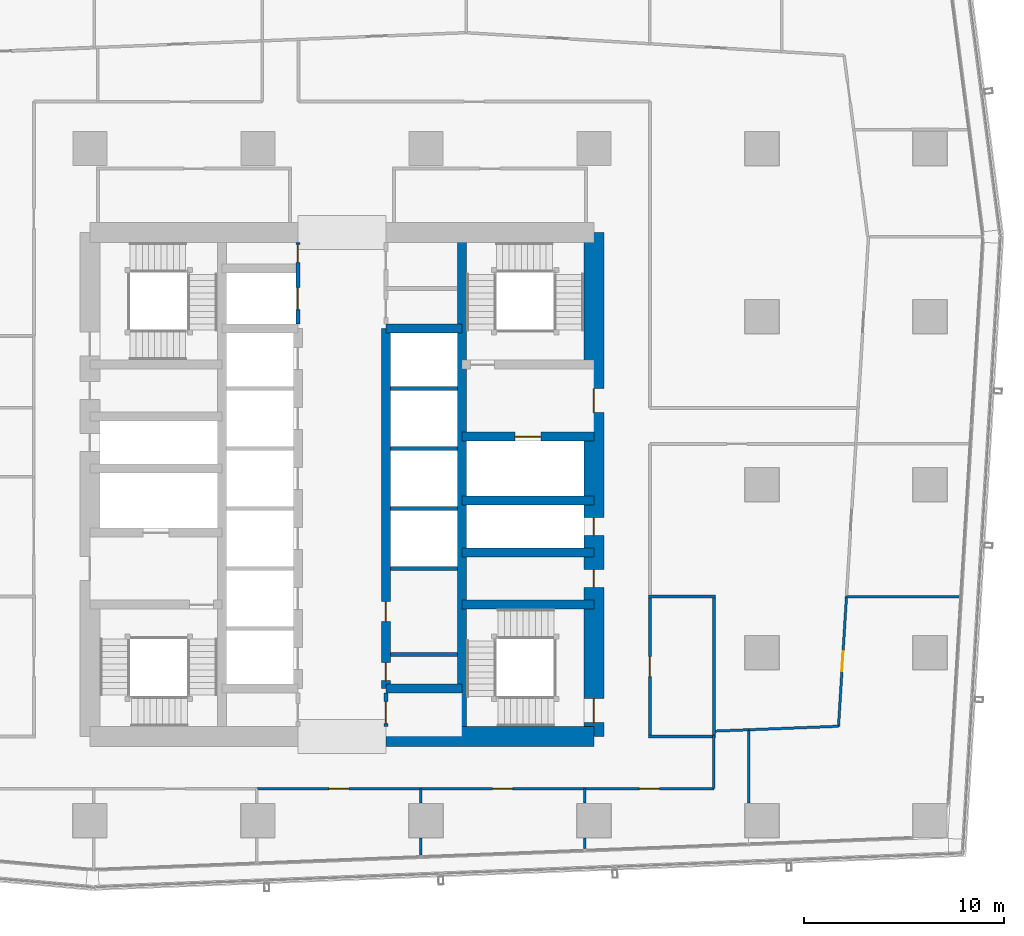
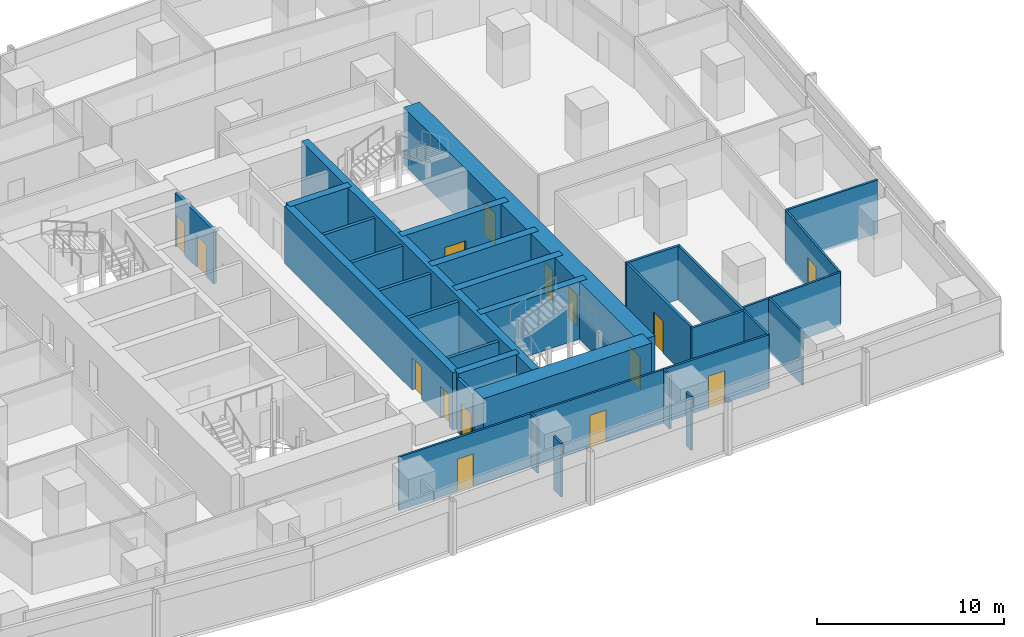
# One storey, part 30 of 40: 34 walls, 15 doors, 15 openings.
"""IFC4 building model written with IfcOpenShell, lengths in metres."""

from ifc_helpers import new_model, si_unit, direction, frame, frame_2d, origin, place, context, subcontext, project, spatial, rectangle, extrude, material, layer, layer_set, type_object, element, fill, save


model = new_model("IFC4")

# Units and contexts
model_context = context("Model", 3, precision=1e-05, world=origin(), true_north=direction((0.0, 1.0)))
body_context = subcontext(model_context, "Body", "Model", "MODEL_VIEW")
ifc_project = project(units=[si_unit("LENGTHUNIT", "METRE"), si_unit("AREAUNIT", "SQUARE_METRE"), si_unit("VOLUMEUNIT", "CUBIC_METRE"), si_unit("PLANEANGLEUNIT", "RADIAN"), si_unit("MASSUNIT", "GRAM", prefix="KILO")], contexts=[model_context])

# Site, building, storey
site_placement = place(None, origin())
site = spatial("IfcSite", under=ifc_project, at=site_placement, CompositionType="ELEMENT")
building_placement = place(site_placement, origin())
building = spatial("IfcBuilding", under=site, at=building_placement, Name="Rekha Terrace Tower", CompositionType="ELEMENT")
storey_placement = place(building_placement, frame((0.0, 0.0, 140.300048828125)))
storey = spatial("IfcBuildingStorey", under=building, at=storey_placement, Name="L35", CompositionType="ELEMENT", Elevation=140.300048828125)

# Wall
ifc_material_1 = material(Name="Concrete M70", Category="concrete")
ifc_layer_1 = layer(ifc_material_1, 0.449951171875)
ifc_layer_set_1 = layer_set([ifc_layer_1], Name="Concrete M70")
wall_type_1 = type_object("IfcWallType", Name="CI2 450 core internal shear wall", PredefinedType="SHEAR", material=ifc_layer_set_1)
wall_1_placement = place(storey_placement, frame((43.800048828125, 21.0, 0.0), z_axis=(0.0, 0.0, 1.0), x_axis=(0.0, 1.0, 0.0)))
element("IfcWall", 1, at=wall_1_placement, inside=storey, type_object=wall_type_1, Name="Core wall X438 L35", PredefinedType="SHEAR", context=body_context, shape_type="SweptSolid", body=[
    extrude(rectangle(XDim=25.199951171875, YDim=0.449951171875, at=frame_2d((12.60009765625, 0.0))), origin(), (0.0, 0.0, 1.0), 3.75),
])

# Wall, openings, doors
wall_2_placement = place(storey_placement, frame((40.0, 23.39990234375, 0.0), z_axis=(0.0, 0.0, 1.0), x_axis=(0.0, 1.0, 0.0)))
wall_2 = element("IfcWall", 2, at=wall_2_placement, inside=storey, type_object=wall_type_1, Name="Core wall X400 L35", PredefinedType="SHEAR", context=body_context, shape_type="SweptSolid", body=[
    extrude(rectangle(XDim=18.0, YDim=0.449951171875, at=frame_2d((9.0, 0.0))), origin(), (0.0, 0.0, 1.0), 3.75),
])
opening_1_placement = place(wall_2_placement, frame((0.39990234375, 0.0, 0.0)))
opening_1 = element("IfcOpeningElement", 3, at=opening_1_placement, cuts=wall_2, Name="Opening D5", PredefinedType="OPENING", context=body_context, shape_type="SweptSolid", body=[
    extrude(rectangle(XDim=0.89990234375, YDim=2.10009765625, at=frame_2d((0.449951171875, 1.050048828125))), frame((0.0, 0.23486328125, 0.0), z_axis=(0.0, -1.0, 0.0), x_axis=(1.0, 0.0, 0.0)), (0.0, 0.0, 1.0), 0.469970703125),
])
opening_2_placement = place(wall_2_placement, frame((3.35009765625, 0.0, 0.0)))
opening_2 = element("IfcOpeningElement", 4, at=opening_2_placement, cuts=wall_2, Name="Opening D3", PredefinedType="OPENING", context=body_context, shape_type="SweptSolid", body=[
    extrude(rectangle(XDim=1.0, YDim=2.10009765625, at=frame_2d((0.5, 1.050048828125))), frame((0.0, 0.23486328125, 0.0), z_axis=(0.0, -1.0, 0.0), x_axis=(1.0, 0.0, 0.0)), (0.0, 0.0, 1.0), 0.469970703125),
])
ifc_material_2 = material(Name="Laminated timber fire door", Category="wood")
door_type_1 = type_object("IfcDoorType", Name="D3 1000x2100 WC door", OperationType="SINGLE_SWING_LEFT", PredefinedType="DOOR", material=ifc_material_2)
door_1_placement = place(opening_2_placement, origin())
door_1 = element("IfcDoor", 5, at=door_1_placement, inside=storey, type_object=door_type_1, Name="Door staff wc L35", OperationType="SINGLE_SWING_LEFT", OverallHeight=2.10009765625, OverallWidth=1.0, PredefinedType="DOOR", context=body_context, shape_type="SweptSolid", body=[
    extrude(rectangle(XDim=1.0, YDim=2.10009765625, at=frame_2d((0.5, 1.050048828125))), frame((0.0, 0.02490234375, 0.0), z_axis=(0.0, -1.0, 0.0), x_axis=(1.0, 0.0, 0.0)), (0.0, 0.0, 1.0), 0.050048828125),
])
fill(opening_2, door_1)
ifc_material_3 = material(Name="Steel fire door", Category="steel")
door_type_2 = type_object("IfcDoorType", Name="D5 900x2100 riser access door", OperationType="SINGLE_SWING_LEFT", PredefinedType="DOOR", material=ifc_material_3)
door_2_placement = place(opening_1_placement, origin())
door_2 = element("IfcDoor", 6, at=door_2_placement, inside=storey, type_object=door_type_2, Name="Door records store L35", OperationType="SINGLE_SWING_LEFT", OverallHeight=2.10009765625, OverallWidth=0.89990234375, PredefinedType="DOOR", context=body_context, shape_type="SweptSolid", body=[
    extrude(rectangle(XDim=0.89990234375, YDim=2.10009765625, at=frame_2d((0.449951171875, 1.050048828125))), frame((0.0, 0.02490234375, 0.0), z_axis=(0.0, -1.0, 0.0), x_axis=(1.0, 0.0, 0.0)), (0.0, 0.0, 1.0), 0.050048828125),
])
fill(opening_1, door_2)

# Walls
for number, where, z_axis, x_axis, name in (
    (7, (40.0, 23.39990234375, 0.0), (0.0, 0.0, 1.0), (1.0, 0.0, 0.0), "Core wall Y234E L35"),
    (8, (40.0, 41.39990234375, 0.0), (0.0, 0.0, 1.0), (1.0, 0.0, 0.0), "Core wall Y414E L35"),
):
    element("IfcWall", number, at=place(storey_placement, frame(where, z_axis=z_axis, x_axis=x_axis)), inside=storey, type_object=wall_type_1, Name=name, PredefinedType="SHEAR", context=body_context, shape_type="SweptSolid", body=[
        extrude(rectangle(XDim=3.800048828125, YDim=0.449951171875, at=frame_2d((1.89990234375, 0.0))), origin(), (0.0, 0.0, 1.0), 3.75),
    ])
for number, where, z_axis, x_axis, name in (
    (9, (43.800048828125, 27.60009765625, 0.0), (0.0, 0.0, 1.0), (1.0, 0.0, 0.0), "Core wall Y276E L35"),
    (10, (43.800048828125, 30.199951171875, 0.0), (0.0, 0.0, 1.0), (1.0, 0.0, 0.0), "Core wall Y302E L35"),
    (11, (43.800048828125, 32.800048828125, 0.0), (0.0, 0.0, 1.0), (1.0, 0.0, 0.0), "Core wall Y328E L35"),
):
    element("IfcWall", number, at=place(storey_placement, frame(where, z_axis=z_axis, x_axis=x_axis)), inside=storey, type_object=wall_type_1, Name=name, PredefinedType="SHEAR", context=body_context, shape_type="SweptSolid", body=[
        extrude(rectangle(XDim=6.599853515625, YDim=0.449951171875, at=frame_2d((3.2998046875, 0.0))), origin(), (0.0, 0.0, 1.0), 3.75),
    ])

# Wall, opening, door
wall_3_placement = place(storey_placement, frame((43.800048828125, 36.0, 0.0), z_axis=(0.0, 0.0, 1.0), x_axis=(1.0, 0.0, 0.0)))
wall_3 = element("IfcWall", 12, at=wall_3_placement, inside=storey, type_object=wall_type_1, Name="Core wall Y360E L35", PredefinedType="SHEAR", context=body_context, shape_type="SweptSolid", body=[
    extrude(rectangle(XDim=6.599853515625, YDim=0.449951171875, at=frame_2d((3.2998046875, 0.0))), origin(), (0.0, 0.0, 1.0), 3.75),
])
opening_3_placement = place(wall_3_placement, frame((2.64990234375, 0.0, 0.0)))
opening_3 = element("IfcOpeningElement", 13, at=opening_3_placement, cuts=wall_3, Name="Opening LD2", PredefinedType="OPENING", context=body_context, shape_type="SweptSolid", body=[
    extrude(rectangle(XDim=1.300048828125, YDim=2.10009765625, at=frame_2d((0.64990234375, 1.050048828125))), frame((0.0, 0.23486328125, 0.0), z_axis=(0.0, -1.0, 0.0), x_axis=(1.0, 0.0, 0.0)), (0.0, 0.0, 1.0), 0.469970703125),
])
ifc_material_4 = material(Name="Stainless steel sliding landing door", Category="steel")
door_type_3 = type_object("IfcDoorType", Name="LD2 1300x2100 fire lift landing door", OperationType="SLIDING_TO_LEFT", PredefinedType="USERDEFINED", material=ifc_material_4)
door_3_placement = place(opening_3_placement, origin())
door_3 = element("IfcDoor", 14, at=door_3_placement, inside=storey, type_object=door_type_3, Name="Lift FL2 landing door L35", ObjectType="LIFT LANDING DOOR", OperationType="SLIDING_TO_LEFT", OverallHeight=2.10009765625, OverallWidth=1.300048828125, PredefinedType="USERDEFINED", context=body_context, shape_type="SweptSolid", body=[
    extrude(rectangle(XDim=1.300048828125, YDim=2.10009765625, at=frame_2d((0.64990234375, 1.050048828125))), frame((0.0, 0.02490234375, 0.0), z_axis=(0.0, -1.0, 0.0), x_axis=(1.0, 0.0, 0.0)), (0.0, 0.0, 1.0), 0.050048828125),
])
fill(opening_3, door_3)

# Wall
ifc_layer_2 = layer(ifc_material_1, 1.0)
ifc_layer_set_2 = layer_set([ifc_layer_2], Name="Concrete M70")
wall_type_2 = type_object("IfcWallType", Name="SW2 1000 core outer shear wall", PredefinedType="SHEAR", material=ifc_layer_set_2)
wall_4_placement = place(storey_placement, frame((40.0, 21.0, 0.0), z_axis=(0.0, 0.0, 1.0), x_axis=(1.0, 0.0, 0.0)))
element("IfcWall", 15, at=wall_4_placement, inside=storey, type_object=wall_type_2, Name="Core wall S2 L35", PredefinedType="SHEAR", context=body_context, shape_type="SweptSolid", body=[
    extrude(rectangle(XDim=10.39990234375, YDim=1.0, at=frame_2d((5.199951171875, 0.0))), origin(), (0.0, 0.0, 1.0), 3.75),
])

# Wall, openings, doors
wall_5_placement = place(storey_placement, frame((50.39990234375, 21.0, 0.0), z_axis=(0.0, 0.0, 1.0), x_axis=(0.0, 1.0, 0.0)))
wall_5 = element("IfcWall", 16, at=wall_5_placement, inside=storey, type_object=wall_type_2, Name="Core wall E L35", PredefinedType="SHEAR", context=body_context, shape_type="SweptSolid", body=[
    extrude(rectangle(XDim=25.199951171875, YDim=1.0, at=frame_2d((12.60009765625, 0.0))), origin(), (0.0, 0.0, 1.0), 3.75),
])
opening_4_placement = place(wall_5_placement, frame((16.199951171875, 0.0, 0.0)))
opening_4 = element("IfcOpeningElement", 17, at=opening_4_placement, cuts=wall_5, Name="Opening D2", PredefinedType="OPENING", context=body_context, shape_type="SweptSolid", body=[
    extrude(rectangle(XDim=1.199951171875, YDim=2.10009765625, at=frame_2d((0.60009765625, 1.050048828125))), frame((0.0, 0.510009765625, 0.0), z_axis=(0.0, -1.0, 0.0), x_axis=(1.0, 0.0, 0.0)), (0.0, 0.0, 1.0), 1.02001953125),
])
opening_5_placement = place(wall_5_placement, frame((10.050048828125, 0.0, 0.0)))
opening_5 = element("IfcOpeningElement", 18, at=opening_5_placement, cuts=wall_5, Name="Opening D5", PredefinedType="OPENING", context=body_context, shape_type="SweptSolid", body=[
    extrude(rectangle(XDim=0.89990234375, YDim=2.10009765625, at=frame_2d((0.449951171875, 1.050048828125))), frame((0.0, 0.510009765625, 0.0), z_axis=(0.0, -1.0, 0.0), x_axis=(1.0, 0.0, 0.0)), (0.0, 0.0, 1.0), 1.02001953125),
])
opening_6_placement = place(wall_5_placement, frame((7.449951171875, 0.0, 0.0)))
opening_6 = element("IfcOpeningElement", 19, at=opening_6_placement, cuts=wall_5, Name="Opening D5", PredefinedType="OPENING", context=body_context, shape_type="SweptSolid", body=[
    extrude(rectangle(XDim=0.89990234375, YDim=2.10009765625, at=frame_2d((0.449951171875, 1.050048828125))), frame((0.0, 0.510009765625, 0.0), z_axis=(0.0, -1.0, 0.0), x_axis=(1.0, 0.0, 0.0)), (0.0, 0.0, 1.0), 1.02001953125),
])
opening_7_placement = place(wall_5_placement, frame((0.699951171875, 0.0, 0.0)))
opening_7 = element("IfcOpeningElement", 20, at=opening_7_placement, cuts=wall_5, Name="Opening D1", PredefinedType="OPENING", context=body_context, shape_type="SweptSolid", body=[
    extrude(rectangle(XDim=1.199951171875, YDim=2.10009765625, at=frame_2d((0.60009765625, 1.050048828125))), frame((0.0, 0.510009765625, 0.0), z_axis=(0.0, -1.0, 0.0), x_axis=(1.0, 0.0, 0.0)), (0.0, 0.0, 1.0), 1.02001953125),
])
door_type_4 = type_object("IfcDoorType", Name="D1 1200x2100 stair fire door", OperationType="SINGLE_SWING_RIGHT", PredefinedType="DOOR", material=ifc_material_3)
door_4_placement = place(opening_7_placement, origin())
door_4 = element("IfcDoor", 21, at=door_4_placement, inside=storey, type_object=door_type_4, Name="Stair ST3 door L35", OperationType="SINGLE_SWING_RIGHT", OverallHeight=2.10009765625, OverallWidth=1.199951171875, PredefinedType="DOOR", context=body_context, shape_type="SweptSolid", body=[
    extrude(rectangle(XDim=1.199951171875, YDim=2.10009765625, at=frame_2d((0.60009765625, 1.050048828125))), frame((0.0, 0.02490234375, 0.0), z_axis=(0.0, -1.0, 0.0), x_axis=(1.0, 0.0, 0.0)), (0.0, 0.0, 1.0), 0.050048828125),
])
fill(opening_7, door_4)
door_type_5 = type_object("IfcDoorType", Name="D2 1200x2100 firefighting lobby door", OperationType="SINGLE_SWING_LEFT", PredefinedType="DOOR", material=ifc_material_3)
door_5_placement = place(opening_4_placement, origin())
door_5 = element("IfcDoor", 22, at=door_5_placement, inside=storey, type_object=door_type_5, Name="Door flb2 L35", OperationType="SINGLE_SWING_LEFT", OverallHeight=2.10009765625, OverallWidth=1.199951171875, PredefinedType="DOOR", context=body_context, shape_type="SweptSolid", body=[
    extrude(rectangle(XDim=1.199951171875, YDim=2.10009765625, at=frame_2d((0.60009765625, 1.050048828125))), frame((0.0, 0.02490234375, 0.0), z_axis=(0.0, -1.0, 0.0), x_axis=(1.0, 0.0, 0.0)), (0.0, 0.0, 1.0), 0.050048828125),
])
fill(opening_4, door_5)
door_6_placement = place(opening_5_placement, origin())
door_6 = element("IfcDoor", 23, at=door_6_placement, inside=storey, type_object=door_type_2, Name="Door rs2 L35", OperationType="SINGLE_SWING_LEFT", OverallHeight=2.10009765625, OverallWidth=0.89990234375, PredefinedType="DOOR", context=body_context, shape_type="SweptSolid", body=[
    extrude(rectangle(XDim=0.89990234375, YDim=2.10009765625, at=frame_2d((0.449951171875, 1.050048828125))), frame((0.0, 0.02490234375, 0.0), z_axis=(0.0, -1.0, 0.0), x_axis=(1.0, 0.0, 0.0)), (0.0, 0.0, 1.0), 0.050048828125),
])
fill(opening_5, door_6)
door_7_placement = place(opening_6_placement, origin())
door_7 = element("IfcDoor", 24, at=door_7_placement, inside=storey, type_object=door_type_2, Name="Door ele L35", OperationType="SINGLE_SWING_LEFT", OverallHeight=2.10009765625, OverallWidth=0.89990234375, PredefinedType="DOOR", context=body_context, shape_type="SweptSolid", body=[
    extrude(rectangle(XDim=0.89990234375, YDim=2.10009765625, at=frame_2d((0.449951171875, 1.050048828125))), frame((0.0, 0.02490234375, 0.0), z_axis=(0.0, -1.0, 0.0), x_axis=(1.0, 0.0, 0.0)), (0.0, 0.0, 1.0), 0.050048828125),
])
fill(opening_6, door_7)

# Walls
ifc_material_5 = material(Name="Concrete block masonry, 1 hour", Category="masonry")
ifc_layer_3 = layer(ifc_material_5, 0.14990234375)
ifc_layer_set_3 = layer_set([ifc_layer_3], Name="Concrete block masonry, 1 hour")
wall_type_3 = type_object("IfcWallType", Name="WP2 150 tenancy partition", PredefinedType="PARTITIONING", material=ifc_layer_set_3)
for number, where, z_axis, x_axis, name in (
    (25, (53.125, 21.0, 0.0), (0.0, 0.0, 1.0), (1.0, 0.0, 0.0), "Men's WC wall L35"),
    (26, (53.125, 28.0, 0.0), (0.0, 0.0, 1.0), (1.0, 0.0, 0.0), "Men's WC wall L35"),
):
    element("IfcWall", number, at=place(storey_placement, frame(where, z_axis=z_axis, x_axis=x_axis)), inside=storey, type_object=wall_type_3, Name=name, PredefinedType="PARTITIONING", context=body_context, shape_type="SweptSolid", body=[
        extrude(rectangle(XDim=3.35009765625, YDim=0.14990234375, at=frame_2d((1.675048828125, 0.0))), origin(), (0.0, 0.0, 1.0), 3.5),
    ])

# Wall, opening, door
wall_6_placement = place(storey_placement, frame((53.199951171875, 21.074951171875, 0.0), z_axis=(0.0, 0.0, 1.0), x_axis=(0.0, 1.0, 0.0)))
wall_6 = element("IfcWall", 27, at=wall_6_placement, inside=storey, type_object=wall_type_3, Name="Men's WC wall L35", PredefinedType="PARTITIONING", context=body_context, shape_type="SweptSolid", body=[
    extrude(rectangle(XDim=6.85009765625, YDim=0.14990234375, at=frame_2d((3.425048828125, 0.0))), origin(), (0.0, 0.0, 1.0), 3.5),
])
opening_8_placement = place(wall_6_placement, frame((2.925048828125, 0.0, 0.0)))
opening_8 = element("IfcOpeningElement", 28, at=opening_8_placement, cuts=wall_6, Name="Opening D3", PredefinedType="OPENING", context=body_context, shape_type="SweptSolid", body=[
    extrude(rectangle(XDim=1.0, YDim=2.10009765625, at=frame_2d((0.5, 1.050048828125))), frame((0.0, 0.0849609375, 0.0), z_axis=(0.0, -1.0, 0.0), x_axis=(1.0, 0.0, 0.0)), (0.0, 0.0, 1.0), 0.169921875),
])
door_8_placement = place(opening_8_placement, origin())
door_8 = element("IfcDoor", 29, at=door_8_placement, inside=storey, type_object=door_type_1, Name="Door men's wc L35", OperationType="SINGLE_SWING_LEFT", OverallHeight=2.10009765625, OverallWidth=1.0, PredefinedType="DOOR", context=body_context, shape_type="SweptSolid", body=[
    extrude(rectangle(XDim=1.0, YDim=2.10009765625, at=frame_2d((0.5, 1.050048828125))), frame((0.0, 0.02490234375, 0.0), z_axis=(0.0, -1.0, 0.0), x_axis=(1.0, 0.0, 0.0)), (0.0, 0.0, 1.0), 0.050048828125),
])
fill(opening_8, door_8)

# Walls
wall_7_placement = place(storey_placement, frame((56.39990234375, 21.074951171875, 0.0), z_axis=(0.0, 0.0, 1.0), x_axis=(0.0, 1.0, 0.0)))
element("IfcWall", 30, at=wall_7_placement, inside=storey, type_object=wall_type_3, Name="Men's WC wall L35", PredefinedType="PARTITIONING", context=body_context, shape_type="SweptSolid", body=[
    extrude(rectangle(XDim=6.85009765625, YDim=0.14990234375, at=frame_2d((3.425048828125, 0.0))), origin(), (0.0, 0.0, 1.0), 3.5),
])
ifc_material_6 = material(Name="Two layers of fire-rated gypsum board each side on steel studs, acoustic quilt, 1 hour", Category="steel")
ifc_layer_4 = layer(ifc_material_6, 0.125)
ifc_layer_set_4 = layer_set([ifc_layer_4], Name="Two layers of fire-rated gypsum board each side on steel studs, acoustic quilt, 1 hour")
wall_type_4 = type_object("IfcWallType", Name="WP3 125 office partition", PredefinedType="PARTITIONING", material=ifc_layer_set_4)
wall_8_placement = place(storey_placement, frame((41.740966796875, 15.080078125, 0.0), z_axis=(0.0, 0.0, 1.0), x_axis=(0.0, 1.0, 0.0)))
element("IfcWall", 31, at=wall_8_placement, inside=storey, type_object=wall_type_4, Name="Partition L35-02", PredefinedType="PARTITIONING", context=body_context, shape_type="SweptSolid", body=[
    extrude(rectangle(XDim=0.849853515625, YDim=0.125, at=frame_2d((0.4248046875, 0.0))), origin(), (0.0, 0.0, 1.0), 3.5),
])
wall_9_placement = place(storey_placement, frame((41.740966796875, 17.669921875, 0.0), z_axis=(0.0, 0.0, 1.0), x_axis=(0.0, 1.0, 0.0)))
element("IfcWall", 32, at=wall_9_placement, inside=storey, type_object=wall_type_4, Name="Partition L35-02", PredefinedType="PARTITIONING", context=body_context, shape_type="SweptSolid", body=[
    extrude(rectangle(XDim=0.72998046875, YDim=0.125, at=frame_2d((0.364990234375, 0.0))), origin(), (0.0, 0.0, 1.0), 3.5),
])

# Wall, opening, door
wall_10_placement = place(storey_placement, frame((41.740966796875, 18.39990234375, 0.0), z_axis=(0.0, 0.0, 1.0), x_axis=(1.0, 0.0, 0.0)))
wall_10 = element("IfcWall", 33, at=wall_10_placement, inside=storey, type_object=wall_type_4, Name="Partition L35-02", PredefinedType="PARTITIONING", context=body_context, shape_type="SweptSolid", body=[
    extrude(rectangle(XDim=8.195068359375, YDim=0.125, at=frame_2d((4.09765625, 0.0))), origin(), (0.0, 0.0, 1.0), 3.5),
])
opening_9_placement = place(wall_10_placement, frame((3.596923828125, 0.0, 0.0)))
opening_9 = element("IfcOpeningElement", 34, at=opening_9_placement, cuts=wall_10, Name="Opening D9", PredefinedType="OPENING", context=body_context, shape_type="SweptSolid", body=[
    extrude(rectangle(XDim=1.0, YDim=2.10009765625, at=frame_2d((0.5, 1.050048828125))), frame((0.0, 0.072509765625, 0.0), z_axis=(0.0, -1.0, 0.0), x_axis=(1.0, 0.0, 0.0)), (0.0, 0.0, 1.0), 0.14501953125),
])
ifc_material_7 = material(Name="Timber fire door", Category="wood")
door_type_6 = type_object("IfcDoorType", Name="D9 1000x2100 office door", OperationType="SINGLE_SWING_LEFT", PredefinedType="DOOR", material=ifc_material_7)
door_9_placement = place(opening_9_placement, origin())
door_9 = element("IfcDoor", 35, at=door_9_placement, inside=storey, type_object=door_type_6, Name="Door office L35", OperationType="SINGLE_SWING_LEFT", OverallHeight=2.10009765625, OverallWidth=1.0, PredefinedType="DOOR", context=body_context, shape_type="SweptSolid", body=[
    extrude(rectangle(XDim=1.0, YDim=2.10009765625, at=frame_2d((0.5, 1.050048828125))), frame((0.0, 0.02490234375, 0.0), z_axis=(0.0, -1.0, 0.0), x_axis=(1.0, 0.0, 0.0)), (0.0, 0.0, 1.0), 0.050048828125),
])
fill(opening_9, door_9)

# Walls
wall_11_placement = place(storey_placement, frame((49.93603515625, 18.39990234375, 0.0), z_axis=(0.0, 0.0, 1.0), x_axis=(0.0, -1.0, 0.0)))
element("IfcWall", 36, at=wall_11_placement, inside=storey, type_object=wall_type_4, Name="Partition L35-02", PredefinedType="PARTITIONING", context=body_context, shape_type="SweptSolid", body=[
    extrude(rectangle(XDim=0.72998046875, YDim=0.125, at=frame_2d((0.364990234375, 0.0))), origin(), (0.0, 0.0, 1.0), 3.5),
])
wall_12_placement = place(storey_placement, frame((49.93603515625, 15.929931640625, 0.0), z_axis=(0.0, 0.0, 1.0), x_axis=(0.0, -1.0, 0.0)))
element("IfcWall", 37, at=wall_12_placement, inside=storey, type_object=wall_type_4, Name="Partition L35-02", PredefinedType="PARTITIONING", context=body_context, shape_type="SweptSolid", body=[
    extrude(rectangle(XDim=0.531005859375, YDim=0.125, at=frame_2d((0.265625, 0.0))), origin(), (0.0, 0.0, 1.0), 3.5),
])
wall_13_placement = place(storey_placement, frame((56.47509765625, 21.278076171875, 0.0), z_axis=(0.0, 0.0, 1.0), x_axis=(0.999256603287, 0.038551793559, 0.0)))
element("IfcWall", 38, at=wall_13_placement, inside=storey, type_object=wall_type_4, Name="Partition L35-03", PredefinedType="PARTITIONING", context=body_context, shape_type="SweptSolid", body=[
    extrude(rectangle(XDim=1.6591796875, YDim=0.125, at=frame_2d((0.82958984375, 0.0))), origin(), (0.0, 0.0, 1.0), 3.5),
])
wall_14_placement = place(storey_placement, frame((58.133056640625, 21.342041015625, 0.0), z_axis=(0.0, 0.0, 1.0), x_axis=(0.0, -1.0, 0.0)))
element("IfcWall", 39, at=wall_14_placement, inside=storey, type_object=wall_type_4, Name="Partition L35-03", PredefinedType="PARTITIONING", context=body_context, shape_type="SweptSolid", body=[
    extrude(rectangle(XDim=3.672119140625, YDim=0.125, at=frame_2d((1.8359375, 0.0))), origin(), (0.0, 0.0, 1.0), 3.5),
])

# Wall, opening, door
wall_15_placement = place(storey_placement, frame((49.93701171875, 18.39990234375, 0.0), z_axis=(0.0, 0.0, 1.0), x_axis=(1.0, 0.0, 0.0)))
wall_15 = element("IfcWall", 40, at=wall_15_placement, inside=storey, type_object=wall_type_4, Name="Partition L35-03", PredefinedType="PARTITIONING", context=body_context, shape_type="SweptSolid", body=[
    extrude(rectangle(XDim=6.462890625, YDim=0.125, at=frame_2d((3.2314453125, 0.0))), origin(), (0.0, 0.0, 1.0), 3.5),
])
opening_10_placement = place(wall_15_placement, frame((2.73095703125, 0.0, 0.0)))
opening_10 = element("IfcOpeningElement", 41, at=opening_10_placement, cuts=wall_15, Name="Opening D9", PredefinedType="OPENING", context=body_context, shape_type="SweptSolid", body=[
    extrude(rectangle(XDim=1.0, YDim=2.10009765625, at=frame_2d((0.5, 1.050048828125))), frame((0.0, 0.072509765625, 0.0), z_axis=(0.0, -1.0, 0.0), x_axis=(1.0, 0.0, 0.0)), (0.0, 0.0, 1.0), 0.14501953125),
])
door_10_placement = place(opening_10_placement, origin())
door_10 = element("IfcDoor", 42, at=door_10_placement, inside=storey, type_object=door_type_6, Name="Door meeting room L35", OperationType="SINGLE_SWING_LEFT", OverallHeight=2.10009765625, OverallWidth=1.0, PredefinedType="DOOR", context=body_context, shape_type="SweptSolid", body=[
    extrude(rectangle(XDim=1.0, YDim=2.10009765625, at=frame_2d((0.5, 1.050048828125))), frame((0.0, 0.02490234375, 0.0), z_axis=(0.0, -1.0, 0.0), x_axis=(1.0, 0.0, 0.0)), (0.0, 0.0, 1.0), 0.050048828125),
])
fill(opening_10, door_10)

# Walls
wall_16_placement = place(storey_placement, frame((56.39990234375, 18.39990234375, 0.0), z_axis=(0.0, 0.0, 1.0), x_axis=(0.0, 1.0, 0.0)))
element("IfcWall", 43, at=wall_16_placement, inside=storey, type_object=wall_type_4, Name="Partition L35-03", PredefinedType="PARTITIONING", context=body_context, shape_type="SweptSolid", body=[
    extrude(rectangle(XDim=2.674072265625, YDim=0.125, at=frame_2d((1.3369140625, 0.0))), origin(), (0.0, 0.0, 1.0), 3.5),
])
wall_17_placement = place(storey_placement, frame((63.02392578125, 27.99609375, 0.0), z_axis=(0.0, 0.0, 1.0), x_axis=(1.0, 0.0, 0.0)))
element("IfcWall", 44, at=wall_17_placement, inside=storey, type_object=wall_type_4, Name="Partition L35-04", PredefinedType="PARTITIONING", context=body_context, shape_type="SweptSolid", body=[
    extrude(rectangle(XDim=5.66015625, YDim=0.125, at=frame_2d((2.830078125, 0.0))), origin(), (0.0, 0.0, 1.0), 3.5),
])
wall_18_placement = place(storey_placement, frame((58.134033203125, 21.342041015625, 0.0), z_axis=(0.0, 0.0, 1.0), x_axis=(0.999241881709, 0.038931501885, 0.0)))
element("IfcWall", 45, at=wall_18_placement, inside=storey, type_object=wall_type_4, Name="Partition L35-04", PredefinedType="PARTITIONING", context=body_context, shape_type="SweptSolid", body=[
    extrude(rectangle(XDim=4.496337890625, YDim=0.125, at=frame_2d((2.248046875, 0.0))), origin(), (0.0, 0.0, 1.0), 3.5),
])

# Wall, opening, door
wall_19_placement = place(storey_placement, frame((62.626953125, 21.51708984375, 0.0), z_axis=(0.0, 0.0, 1.0), x_axis=(0.061155945859, 0.998128223369, 0.0)))
wall_19 = element("IfcWall", 46, at=wall_19_placement, inside=storey, type_object=wall_type_4, Name="Partition L35-04", PredefinedType="PARTITIONING", context=body_context, shape_type="SweptSolid", body=[
    extrude(rectangle(XDim=6.4912109375, YDim=0.125, at=frame_2d((3.24560546875, 0.0))), origin(), (0.0, 0.0, 1.0), 3.5),
])
opening_11_placement = place(wall_19_placement, frame((2.74609375, 0.0, 0.0)))
opening_11 = element("IfcOpeningElement", 47, at=opening_11_placement, cuts=wall_19, Name="Opening D9", PredefinedType="OPENING", context=body_context, shape_type="SweptSolid", body=[
    extrude(rectangle(XDim=1.0, YDim=2.10009765625, at=frame_2d((0.5, 1.050048828125))), frame((0.0, 0.072509765625, 0.0), z_axis=(0.0, -1.0, 0.0), x_axis=(1.0, 0.0, 0.0)), (0.0, 0.0, 1.0), 0.14501953125),
])
door_11_placement = place(opening_11_placement, origin())
door_11 = element("IfcDoor", 48, at=door_11_placement, inside=storey, type_object=door_type_6, Name="Door director's office L35", OperationType="SINGLE_SWING_LEFT", OverallHeight=2.10009765625, OverallWidth=1.0, PredefinedType="DOOR", context=body_context, shape_type="SweptSolid", body=[
    extrude(rectangle(XDim=1.0, YDim=2.10009765625, at=frame_2d((0.5, 1.050048828125))), frame((0.0, 0.02490234375, 0.0), z_axis=(0.0, -1.0, 0.0), x_axis=(1.0, 0.0, 0.0)), (0.0, 0.0, 1.0), 0.050048828125),
])
fill(opening_11, door_11)

wall_20_placement = place(storey_placement, frame((33.5439453125, 18.39990234375, 0.0), z_axis=(0.0, 0.0, 1.0), x_axis=(1.0, 0.0, 0.0)))
wall_20 = element("IfcWall", 49, at=wall_20_placement, inside=storey, type_object=wall_type_4, Name="Partition L35-25", PredefinedType="PARTITIONING", context=body_context, shape_type="SweptSolid", body=[
    extrude(rectangle(XDim=8.196044921875, YDim=0.125, at=frame_2d((4.09814453125, 0.0))), origin(), (0.0, 0.0, 1.0), 3.5),
])
opening_12_placement = place(wall_20_placement, frame((3.597900390625, 0.0, 0.0)))
opening_12 = element("IfcOpeningElement", 50, at=opening_12_placement, cuts=wall_20, Name="Opening D9", PredefinedType="OPENING", context=body_context, shape_type="SweptSolid", body=[
    extrude(rectangle(XDim=1.0, YDim=2.10009765625, at=frame_2d((0.5, 1.050048828125))), frame((0.0, 0.072509765625, 0.0), z_axis=(0.0, -1.0, 0.0), x_axis=(1.0, 0.0, 0.0)), (0.0, 0.0, 1.0), 0.14501953125),
])
door_12_placement = place(opening_12_placement, origin())
door_12 = element("IfcDoor", 51, at=door_12_placement, inside=storey, type_object=door_type_6, Name="Door meeting room L35", OperationType="SINGLE_SWING_LEFT", OverallHeight=2.10009765625, OverallWidth=1.0, PredefinedType="DOOR", context=body_context, shape_type="SweptSolid", body=[
    extrude(rectangle(XDim=1.0, YDim=2.10009765625, at=frame_2d((0.5, 1.050048828125))), frame((0.0, 0.02490234375, 0.0), z_axis=(0.0, -1.0, 0.0), x_axis=(1.0, 0.0, 0.0)), (0.0, 0.0, 1.0), 0.050048828125),
])
fill(opening_12, door_12)

# Walls
ifc_material_8 = material(Name="Solid concrete block masonry, 2 hour", Category="masonry")
ifc_layer_5 = layer(ifc_material_8, 0.199951171875)
ifc_layer_set_5 = layer_set([ifc_layer_5], Name="Solid concrete block masonry, 2 hour")
wall_type_5 = type_object("IfcWallType", Name="WS1 200 stair and shaft enclosure", PredefinedType="PARTITIONING", material=ifc_layer_set_5)
for number, where, z_axis, x_axis, name in (
    (52, (40.22509765625, 29.39990234375, 0.0), (0.0, 0.0, 1.0), (1.0, 0.0, 0.0), "Lift shaft divider L35"),
    (53, (40.22509765625, 32.39990234375, 0.0), (0.0, 0.0, 1.0), (1.0, 0.0, 0.0), "Lift shaft divider L35"),
    (54, (40.22509765625, 35.39990234375, 0.0), (0.0, 0.0, 1.0), (1.0, 0.0, 0.0), "Lift shaft divider L35"),
    (55, (40.22509765625, 38.39990234375, 0.0), (0.0, 0.0, 1.0), (1.0, 0.0, 0.0), "Lift shaft divider L35"),
):
    element("IfcWall", number, at=place(storey_placement, frame(where, z_axis=z_axis, x_axis=x_axis)), inside=storey, type_object=wall_type_5, Name=name, PredefinedType="PARTITIONING", context=body_context, shape_type="SweptSolid", body=[
        extrude(rectangle(XDim=3.349853515625, YDim=0.199951171875, at=frame_2d((1.6748046875, 0.0))), origin(), (0.0, 0.0, 1.0), 3.5),
    ])

# Wall, opening, door
wall_21_placement = place(storey_placement, frame((40.0, 21.5, 0.0), z_axis=(0.0, 0.0, 1.0), x_axis=(0.0, 1.0, 0.0)))
wall_21 = element("IfcWall", 56, at=wall_21_placement, inside=storey, type_object=wall_type_5, Name="Core partition wca L35", PredefinedType="PARTITIONING", context=body_context, shape_type="SweptSolid", body=[
    extrude(rectangle(XDim=1.675048828125, YDim=0.199951171875, at=frame_2d((0.83740234375, 0.0))), origin(), (0.0, 0.0, 1.0), 3.5),
])
opening_13_placement = place(wall_21_placement, frame((0.14990234375, 0.0, 0.0)))
opening_13 = element("IfcOpeningElement", 57, at=opening_13_placement, cuts=wall_21, Name="Opening D4", PredefinedType="OPENING", context=body_context, shape_type="SweptSolid", body=[
    extrude(rectangle(XDim=1.10009765625, YDim=2.10009765625, at=frame_2d((0.550048828125, 1.050048828125))), frame((0.0, 0.10986328125, 0.0), z_axis=(0.0, -1.0, 0.0), x_axis=(1.0, 0.0, 0.0)), (0.0, 0.0, 1.0), 0.219970703125),
])
door_type_7 = type_object("IfcDoorType", Name="D4 1100x2100 accessible WC door", OperationType="SLIDING_TO_LEFT", PredefinedType="DOOR", material=ifc_material_2)
door_13_placement = place(opening_13_placement, origin())
door_13 = element("IfcDoor", 58, at=door_13_placement, inside=storey, type_object=door_type_7, Name="Door wca L35", OperationType="SLIDING_TO_LEFT", OverallHeight=2.10009765625, OverallWidth=1.10009765625, PredefinedType="DOOR", context=body_context, shape_type="SweptSolid", body=[
    extrude(rectangle(XDim=1.10009765625, YDim=2.10009765625, at=frame_2d((0.550048828125, 1.050048828125))), frame((0.0, 0.02490234375, 0.0), z_axis=(0.0, -1.0, 0.0), x_axis=(1.0, 0.0, 0.0)), (0.0, 0.0, 1.0), 0.050048828125),
])
fill(opening_13, door_13)

# Wall, openings, doors
wall_22_placement = place(storey_placement, frame((35.60009765625, 41.625, 0.0), z_axis=(0.0, 0.0, 1.0), x_axis=(0.0, 1.0, 0.0)))
wall_22 = element("IfcWall", 59, at=wall_22_placement, inside=storey, type_object=wall_type_5, Name="Core partition jansv L35", PredefinedType="PARTITIONING", context=body_context, shape_type="SweptSolid", body=[
    extrude(rectangle(XDim=4.074951171875, YDim=0.199951171875, at=frame_2d((2.03759765625, 0.0))), origin(), (0.0, 0.0, 1.0), 3.5),
])
opening_14_placement = place(wall_22_placement, frame((3.087890625, 0.0, 0.0)))
opening_14 = element("IfcOpeningElement", 60, at=opening_14_placement, cuts=wall_22, Name="Opening D5", PredefinedType="OPENING", context=body_context, shape_type="SweptSolid", body=[
    extrude(rectangle(XDim=0.89990234375, YDim=2.10009765625, at=frame_2d((0.449951171875, 1.050048828125))), frame((0.0, 0.10986328125, 0.0), z_axis=(0.0, -1.0, 0.0), x_axis=(1.0, 0.0, 0.0)), (0.0, 0.0, 1.0), 0.219970703125),
])
opening_15_placement = place(wall_22_placement, frame((0.72509765625, 0.0, 0.0)))
opening_15 = element("IfcOpeningElement", 61, at=opening_15_placement, cuts=wall_22, Name="Opening LD1", PredefinedType="OPENING", context=body_context, shape_type="SweptSolid", body=[
    extrude(rectangle(XDim=1.10009765625, YDim=2.10009765625, at=frame_2d((0.550048828125, 1.050048828125))), frame((0.0, 0.10986328125, 0.0), z_axis=(0.0, -1.0, 0.0), x_axis=(1.0, 0.0, 0.0)), (0.0, 0.0, 1.0), 0.219970703125),
])
door_14_placement = place(opening_14_placement, origin())
door_14 = element("IfcDoor", 62, at=door_14_placement, inside=storey, type_object=door_type_2, Name="Door janitor room L35", OperationType="SINGLE_SWING_LEFT", OverallHeight=2.10009765625, OverallWidth=0.89990234375, PredefinedType="DOOR", context=body_context, shape_type="SweptSolid", body=[
    extrude(rectangle(XDim=0.89990234375, YDim=2.10009765625, at=frame_2d((0.449951171875, 1.050048828125))), frame((0.0, 0.02490234375, 0.0), z_axis=(0.0, -1.0, 0.0), x_axis=(1.0, 0.0, 0.0)), (0.0, 0.0, 1.0), 0.050048828125),
])
fill(opening_14, door_14)
door_type_8 = type_object("IfcDoorType", Name="LD1 1100x2100 lift landing door", OperationType="SLIDING_TO_LEFT", PredefinedType="USERDEFINED", material=ifc_material_4)
door_15_placement = place(opening_15_placement, origin())
door_15 = element("IfcDoor", 63, at=door_15_placement, inside=storey, type_object=door_type_8, Name="Lift SV1 landing door L35", ObjectType="LIFT LANDING DOOR", OperationType="SLIDING_TO_LEFT", OverallHeight=2.10009765625, OverallWidth=1.10009765625, PredefinedType="USERDEFINED", context=body_context, shape_type="SweptSolid", body=[
    extrude(rectangle(XDim=1.10009765625, YDim=2.10009765625, at=frame_2d((0.550048828125, 1.050048828125))), frame((0.0, 0.02490234375, 0.0), z_axis=(0.0, -1.0, 0.0), x_axis=(1.0, 0.0, 0.0)), (0.0, 0.0, 1.0), 0.050048828125),
])
fill(opening_15, door_15)

# Wall
wall_23_placement = place(storey_placement, frame((40.22509765625, 25.10009765625, 0.0), z_axis=(0.0, 0.0, 1.0), x_axis=(1.0, 0.0, 0.0)))
element("IfcWall", 64, at=wall_23_placement, inside=storey, type_object=wall_type_5, Name="Core partition freed shafts L35", PredefinedType="PARTITIONING", context=body_context, shape_type="SweptSolid", body=[
    extrude(rectangle(XDim=3.349853515625, YDim=0.199951171875, at=frame_2d((1.6748046875, 0.0))), origin(), (0.0, 0.0, 1.0), 3.5),
])

save(model, "model.ifc")
